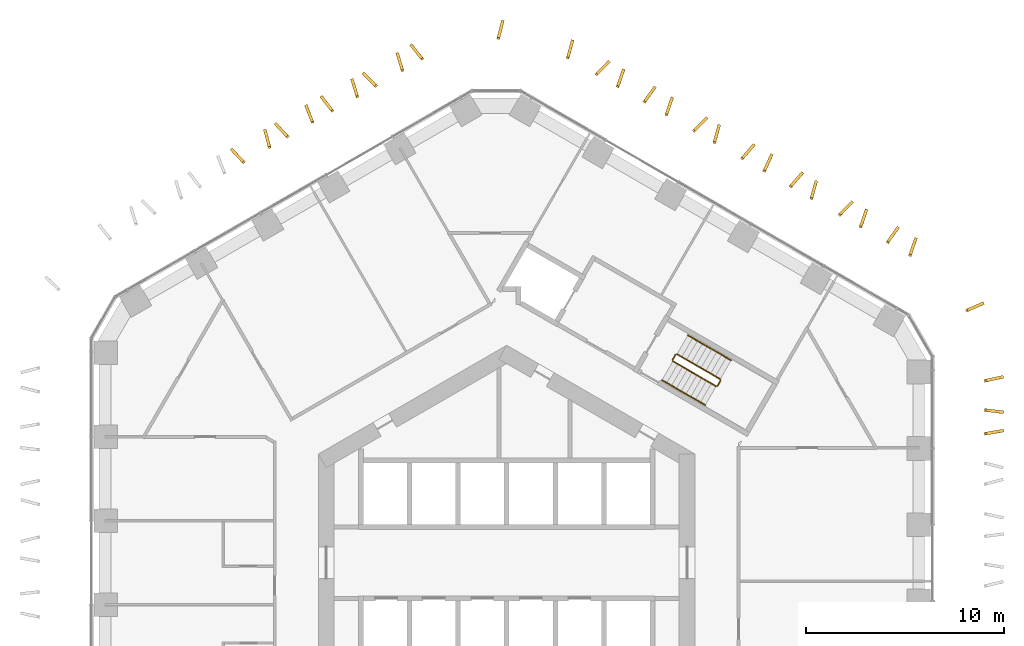
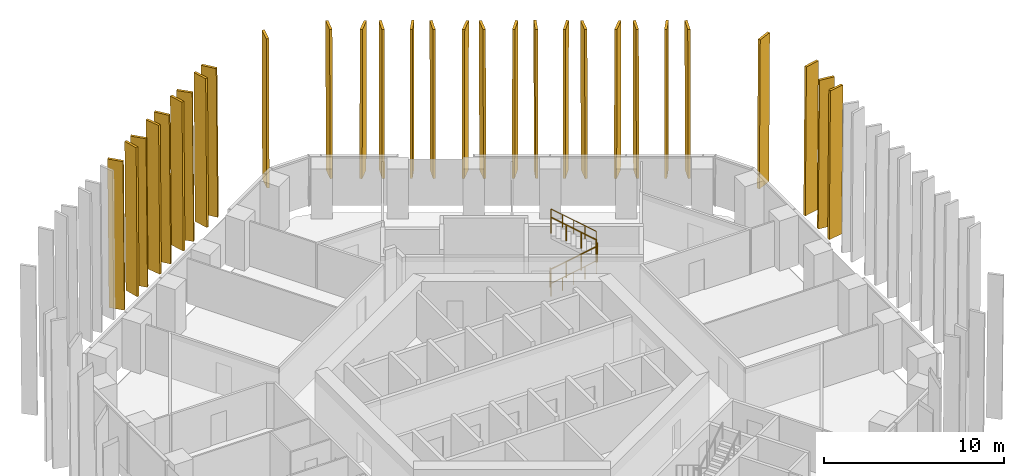
# One storey, part 19 of 19: 29 shading devices, 8 railings.
"""IFC4 building model written with IfcOpenShell, lengths in metres."""

from ifc_helpers import new_model, si_unit, direction, frame, origin, origin_2d, place, context, subcontext, project, spatial, polyline, circle, outline, extrude, material, layer, layer_set, type_object, element, save


model = new_model("IFC4")

# Units and contexts
model_context = context("Model", 3, precision=1e-05, world=origin(), true_north=direction((0.0, 1.0)))
body_context = subcontext(model_context, "Body", "Model", "MODEL_VIEW")
ifc_project = project(units=[si_unit("LENGTHUNIT", "METRE"), si_unit("AREAUNIT", "SQUARE_METRE"), si_unit("VOLUMEUNIT", "CUBIC_METRE"), si_unit("PLANEANGLEUNIT", "RADIAN"), si_unit("MASSUNIT", "GRAM", prefix="KILO")], contexts=[model_context])

# Site, building, storey
site_placement = place(None, origin())
site = spatial("IfcSite", under=ifc_project, at=site_placement, CompositionType="ELEMENT")
building_placement = place(site_placement, origin())
building = spatial("IfcBuilding", under=site, at=building_placement, Name="Ayvan Gate Tower", CompositionType="ELEMENT")
storey_placement = place(building_placement, frame((0.0, 0.0, 56.10009765625)))
storey = spatial("IfcBuildingStorey", under=building, at=storey_placement, Name="L14", CompositionType="ELEMENT", Elevation=56.10009765625)

# Shading devices
ifc_material_1 = material(Name="Bronze anodised aluminium", Category="aluminium")
ifc_layer = layer(ifc_material_1, 0.14990234375)
ifc_layer_set = layer_set([ifc_layer], Name="Bronze anodised aluminium")
shading_device_type = type_object("IfcShadingDeviceType", Name="Bronze fin 900 x 150", PredefinedType="USERDEFINED", material=ifc_layer_set)
shading_device_1_placement = place(storey_placement, frame((-4.17333984375, 25.420654296875, 0.0), z_axis=(0.784507651009, 0.620119118328, 0.000156820053), x_axis=(-0.620119125954, 0.784507660655, 0.0)))
element("IfcShadingDevice", 1, at=shading_device_1_placement, inside=storey, type_object=shading_device_type, Name="Bronze fin FG04.1.1", ObjectType="FIN", PredefinedType="USERDEFINED", context=body_context, shape_type="SweptSolid", body=[
    extrude(outline(polyline([(0.0, 0.0), (0.8999971866563694, 1.3552527156068805e-20), (0.9877609294248118, 10.079834108319309), (0.08776374276844219, 10.079834108319309), (0.0, 0.0)])), origin(), (0.0, 0.0, -1.0), 0.14990234375),
])
shading_device_2_placement = place(storey_placement, frame((-5.171142578125, 24.804443359375, 0.0), z_axis=(0.95752712795, 0.288343154961, 0.00015564904), x_axis=(-0.288343158453, 0.957527139549, 0.0)))
element("IfcShadingDevice", 2, at=shading_device_2_placement, inside=storey, type_object=shading_device_type, Name="Bronze fin FG04.1.2", ObjectType="FIN", PredefinedType="USERDEFINED", context=body_context, shape_type="SweptSolid", body=[
    extrude(outline(polyline([(0.0, 0.0), (0.900043842784266, 0.0), (0.9879709805516541, 10.079834106475175), (0.0879271377673882, 10.079834106475175), (0.0, 0.0)])), origin(), (0.0, 0.0, -1.0), 0.14990234375),
])
shading_device_3_placement = place(storey_placement, frame((-6.5087890625, 24.071044921875, 0.0), z_axis=(0.707174585333, 0.707038955378, 0.000146411497), x_axis=(-0.707038962955, 0.707174592914, -1.4044e-08)))
element("IfcShadingDevice", 3, at=shading_device_3_placement, inside=storey, type_object=shading_device_type, Name="Bronze fin FG04.1.3", ObjectType="FIN", PredefinedType="USERDEFINED", context=body_context, shape_type="SweptSolid", body=[
    extrude(outline(polyline([(0.0, 0.0), (0.8999384036104328, -1.3552527156068805e-20), (0.9878085598087348, 10.079834106285356), (0.08769753926398695, 10.07983408100498), (0.0, 0.0)])), origin(), (0.0, 0.0, -1.0), 0.14990234375),
])
shading_device_4_placement = place(storey_placement, frame((-7.448974609375, 23.490478515625, 0.0), z_axis=(0.956030875361, 0.293265997805, 0.000141023952), x_axis=(-0.293266000721, 0.956030884868, 0.0)))
element("IfcShadingDevice", 4, at=shading_device_4_placement, inside=storey, type_object=shading_device_type, Name="Bronze fin FG04.1.4", ObjectType="FIN", PredefinedType="USERDEFINED", context=body_context, shape_type="SweptSolid", body=[
    extrude(outline(polyline([(0.0, 0.0), (0.8999202600228349, 6.776263578034403e-21), (0.9876924984761604, 10.079834084607638), (0.08777223845332544, 10.079834084607638), (0.0, 0.0)])), origin(), (0.0, 0.0, -1.0), 0.14990234375),
])
shading_device_5_placement = place(storey_placement, frame((-8.70458984375, 22.804443359375, 0.0), z_axis=(0.787676700131, 0.616088784569, 0.000159996988), x_axis=(-0.616088792457, 0.787676710211, 1.3372e-08)))
element("IfcShadingDevice", 5, at=shading_device_5_placement, inside=storey, type_object=shading_device_type, Name="Bronze fin FG04.1.5", ObjectType="FIN", PredefinedType="USERDEFINED", context=body_context, shape_type="SweptSolid", body=[
    extrude(outline(polyline([(0.0, 0.0), (0.8998445159698426, -1.3552527156068805e-20), (0.9878333311159051, 10.079834100182675), (0.08779651126173364, 10.07983412425076), (0.0, 0.0)])), origin(), (0.0, 0.0, -1.0), 0.14990234375),
])
shading_device_6_placement = place(storey_placement, frame((-9.70263671875, 22.202880859375, 0.0), z_axis=(0.929873318067, 0.367879859752, 0.000145383887), x_axis=(-0.367879863638, 0.929873327894, -7.254e-09)))
element("IfcShadingDevice", 6, at=shading_device_6_placement, inside=storey, type_object=shading_device_type, Name="Bronze fin FG04.1.6", ObjectType="FIN", PredefinedType="USERDEFINED", context=body_context, shape_type="SweptSolid", body=[
    extrude(outline(polyline([(0.0, 0.0), (0.9000124177528436, 1.3552527156068805e-20), (0.9877773265767699, 10.07983409806652), (0.0879919286793692, 10.079834085010598), (0.0, 0.0)])), origin(), (0.0, 0.0, -1.0), 0.14990234375),
])
shading_device_7_placement = place(storey_placement, frame((-10.9580078125, 21.503173828125, 0.0), z_axis=(0.729131031446, 0.684374104293, 0.000156062925), x_axis=(-0.684374112627, 0.729131040325, 0.0)))
element("IfcShadingDevice", 7, at=shading_device_7_placement, inside=storey, type_object=shading_device_type, Name="Bronze fin FG04.1.7", ObjectType="FIN", PredefinedType="USERDEFINED", context=body_context, shape_type="SweptSolid", body=[
    extrude(outline(polyline([(0.0, 0.0), (0.9000439752325704, -1.3552527156068805e-20), (0.9879086506899264, 10.07983410712539), (0.08786467545735611, 10.07983410712539), (0.0, 0.0)])), origin(), (0.0, 0.0, -1.0), 0.14990234375),
])
shading_device_8_placement = place(storey_placement, frame((-11.876220703125, 20.92724609375, 0.0), z_axis=(0.965937144761, 0.258776758243, 0.000147528737), x_axis=(-0.258776761059, 0.965937155273, 0.0)))
element("IfcShadingDevice", 8, at=shading_device_8_placement, inside=storey, type_object=shading_device_type, Name="Bronze fin FG04.1.8", ObjectType="FIN", PredefinedType="USERDEFINED", context=body_context, shape_type="SweptSolid", body=[
    extrude(outline(polyline([(0.0, 0.0), (0.9000427831971298, -6.776263578034403e-21), (0.9878926745714226, 10.079834094067428), (0.08784989137429276, 10.079834094067428), (0.0, 0.0)])), origin(), (0.0, 0.0, -1.0), 0.14990234375),
])
shading_device_9_placement = place(storey_placement, frame((-13.17919921875, 20.220703125, 0.0), z_axis=(0.729198714419, 0.684301992977, 0.000131519892), x_axis=(-0.684301998894, 0.729198720727, -1.301e-08)))
element("IfcShadingDevice", 9, at=shading_device_9_placement, inside=storey, type_object=shading_device_type, Name="Bronze fin FG04.1.9", ObjectType="FIN", PredefinedType="USERDEFINED", context=body_context, shape_type="SweptSolid", body=[
    extrude(outline(polyline([(0.0, 0.0), (0.899876904913194, 0.0), (0.9879193202605737, 10.079834084405322), (0.08787534942968092, 10.079834060989052), (0.0, 0.0)])), origin(), (0.0, 0.0, -1.0), 0.14990234375),
])
shading_device_10_placement = place(storey_placement, frame((24.101806640625, 6.427734375, 0.0), z_axis=(0.16791713841, -0.985801100135, 0.0001600021), x_axis=(0.985801112754, 0.16791714056, 0.0)))
element("IfcShadingDevice", 10, at=shading_device_10_placement, inside=storey, type_object=shading_device_type, Name="Bronze fin FG04.9.77", ObjectType="FIN", PredefinedType="USERDEFINED", context=body_context, shape_type="SweptSolid", body=[
    extrude(outline(polyline([(0.0, 0.0), (0.8999858285529956, 0.0), (0.9879311513880245, 10.079834113400267), (0.08794532283502893, 10.079834113400267), (0.0, 0.0)])), origin(), (0.0, 0.0, -1.0), 0.14990234375),
])
shading_device_11_placement = place(storey_placement, frame((24.0830078125, 7.63330078125, 0.0), z_axis=(-0.120161253639, -0.992754375435, 0.000152246879), x_axis=(0.99275438694, -0.120161255031, 0.0)))
element("IfcShadingDevice", 11, at=shading_device_11_placement, inside=storey, type_object=shading_device_type, Name="Bronze fin FG04.9.78", ObjectType="FIN", PredefinedType="USERDEFINED", context=body_context, shape_type="SweptSolid", body=[
    extrude(outline(polyline([(0.0, 0.0), (0.900076292036263, 0.0), (0.9879307932473963, 10.079834101195805), (0.0878545012111333, 10.079834101195805), (0.0, 0.0)])), origin(), (0.0, 0.0, -1.0), 0.14990234375),
])
shading_device_12_placement = place(storey_placement, frame((24.1015625, 9.095458984375, 0.0), z_axis=(0.213353036992, -0.97697515922, 0.000140969583), x_axis=(0.976975168927, 0.213353039115, 2.2762e-08)))
element("IfcShadingDevice", 12, at=shading_device_12_placement, inside=storey, type_object=shading_device_type, Name="Bronze fin FG04.9.79", ObjectType="FIN", PredefinedType="USERDEFINED", context=body_context, shape_type="SweptSolid", body=[
    extrude(outline(polyline([(0.0, 0.0), (0.8999014709693521, 0.0), (0.9878932124900268, 10.079834062044108), (0.08780531033663855, 10.079834103015166), (0.0, 0.0)])), origin(), (0.0, 0.0, -1.0), 0.14990234375),
])
shading_device_13_placement = place(storey_placement, frame((23.19189453125, 12.635986328125, 0.0), z_axis=(0.404174399835, -0.914681930365, 0.000144160214), x_axis=(0.914681939869, 0.404174404035, 0.0)))
element("IfcShadingDevice", 13, at=shading_device_13_placement, inside=storey, type_object=shading_device_type, Name="Bronze fin FG04.10.80", ObjectType="FIN", PredefinedType="USERDEFINED", context=body_context, shape_type="SweptSolid", body=[
    extrude(outline(polyline([(0.0, 0.0), (0.9000310945437551, 6.776263578034403e-21), (0.9879537823724964, 10.0798340891154), (0.08792268782874132, 10.0798340891154), (0.0, 0.0)])), origin(), (0.0, 0.0, -1.0), 0.14990234375),
])
shading_device_14_placement = place(storey_placement, frame((20.396728515625, 15.4375, 0.0), z_axis=(0.945251828339, -0.326341784902, 0.000142995533), x_axis=(0.32634178824, 0.945251838003, -6.33e-09)))
element("IfcShadingDevice", 14, at=shading_device_14_placement, inside=storey, type_object=shading_device_type, Name="Bronze fin FG04.11.81", ObjectType="FIN", PredefinedType="USERDEFINED", context=body_context, shape_type="SweptSolid", body=[
    extrude(outline(polyline([(0.0, 0.0), (0.8998648864393721, 6.776263578034403e-21), (0.9879438413604389, 10.079834093683859), (0.08784818054655426, 10.079834082289473), (0.0, 0.0)])), origin(), (0.0, 0.0, -1.0), 0.14990234375),
])
shading_device_15_placement = place(storey_placement, frame((19.245849609375, 16.083984375, 0.0), z_axis=(0.815635135763, -0.578566592811, 0.000151629944), x_axis=(0.578566599462, 0.81563514514, 0.0)))
element("IfcShadingDevice", 15, at=shading_device_15_placement, inside=storey, type_object=shading_device_type, Name="Bronze fin FG04.11.82", ObjectType="FIN", PredefinedType="USERDEFINED", context=body_context, shape_type="SweptSolid", body=[
    extrude(outline(polyline([(0.0, 0.0), (0.9000726167205502, 0.0), (0.9878882070030846, 10.079834100250961), (0.08781559028253441, 10.079834100250961), (0.0, 0.0)])), origin(), (0.0, 0.0, -1.0), 0.14990234375),
])
shading_device_16_placement = place(storey_placement, frame((17.90625, 16.875244140625, 0.0), z_axis=(0.946102746903, -0.32386659398, 0.00014699147), x_axis=(0.323866597479, 0.946102757124, 0.0)))
element("IfcShadingDevice", 16, at=shading_device_16_placement, inside=storey, type_object=shading_device_type, Name="Bronze fin FG04.11.83", ObjectType="FIN", PredefinedType="USERDEFINED", context=body_context, shape_type="SweptSolid", body=[
    extrude(outline(polyline([(0.0, 0.0), (0.9000740073823146, -6.776263578034403e-21), (0.9880775322879921, 10.07983409326993), (0.08800352490567759, 10.07983409326993), (0.0, 0.0)])), origin(), (0.0, 0.0, -1.0), 0.14990234375),
])
shading_device_17_placement = place(storey_placement, frame((16.809814453125, 17.463623046875, 0.0), z_axis=(0.712309106208, -0.701865884354, 0.000132640227), x_axis=(0.701865890527, 0.712309112475, 1.2815e-08)))
element("IfcShadingDevice", 17, at=shading_device_17_placement, inside=storey, type_object=shading_device_type, Name="Bronze fin FG04.11.84", ObjectType="FIN", PredefinedType="USERDEFINED", context=body_context, shape_type="SweptSolid", body=[
    extrude(outline(polyline([(0.0, 0.0), (0.899963571326261, 1.3552527156068805e-20), (0.9878457747174002, 10.079834060384886), (0.08771084941395967, 10.079834083453694), (0.0, 0.0)])), origin(), (0.0, 0.0, -1.0), 0.14990234375),
])
shading_device_18_placement = place(storey_placement, frame((15.427001953125, 18.305419921875, 0.0), z_axis=(0.963529556783, -0.267601888448, 0.000150014149), x_axis=(0.267601891462, 0.963529567624, -1.9604e-08)))
element("IfcShadingDevice", 18, at=shading_device_18_placement, inside=storey, type_object=shading_device_type, Name="Bronze fin FG04.11.85", ObjectType="FIN", PredefinedType="USERDEFINED", context=body_context, shape_type="SweptSolid", body=[
    extrude(outline(polyline([(0.0, 0.0), (0.9000439675473473, 0.0), (0.9880213064008884, 10.079834117163653), (0.08804267134657386, 10.079834081876099), (0.0, 0.0)])), origin(), (0.0, 0.0, -1.0), 0.14990234375),
])
shading_device_19_placement = place(storey_placement, frame((14.346923828125, 18.8974609375, 0.0), z_axis=(0.755693550157, -0.654925368576, 0.000140875938), x_axis=(0.654925375077, 0.755693557654, -1.4437e-08)))
element("IfcShadingDevice", 19, at=shading_device_19_placement, inside=storey, type_object=shading_device_type, Name="Bronze fin FG04.11.86", ObjectType="FIN", PredefinedType="USERDEFINED", context=body_context, shape_type="SweptSolid", body=[
    extrude(outline(polyline([(0.0, 0.0), (0.900148201278297, 0.0), (0.9880043017403918, 10.07983409866122), (0.08801599435249446, 10.07983407267255), (0.0, 0.0)])), origin(), (0.0, 0.0, -1.0), 0.14990234375),
])
shading_device_20_placement = place(storey_placement, frame((13.0380859375, 19.684326171875, 0.0), z_axis=(0.90854605506, -0.417784689397, 0.000138348265), x_axis=(0.417784693396, 0.908546063755, 0.0)))
element("IfcShadingDevice", 20, at=shading_device_20_placement, inside=storey, type_object=shading_device_type, Name="Bronze fin FG04.11.87", ObjectType="FIN", PredefinedType="USERDEFINED", context=body_context, shape_type="SweptSolid", body=[
    extrude(outline(polyline([(0.0, 0.0), (0.8999290027695448, -6.776263578034403e-21), (0.9876952223783562, 10.079834080840236), (0.08776621960881129, 10.079834080840236), (0.0, 0.0)])), origin(), (0.0, 0.0, -1.0), 0.14990234375),
])
shading_device_21_placement = place(storey_placement, frame((11.90087890625, 20.3095703125, 0.0), z_axis=(0.754941215816, -0.655792450318, 0.000150890712), x_axis=(0.655792457785, 0.754941224409, -1.5449e-08)))
element("IfcShadingDevice", 21, at=shading_device_21_placement, inside=storey, type_object=shading_device_type, Name="Bronze fin FG04.11.88", ObjectType="FIN", PredefinedType="USERDEFINED", context=body_context, shape_type="SweptSolid", body=[
    extrude(outline(polyline([(0.0, 0.0), (0.9000750953258425, -1.3552527156068805e-20), (0.9879293916717197, 10.07983411438662), (0.08801440192639111, 10.07983408657815), (0.0, 0.0)])), origin(), (0.0, 0.0, -1.0), 0.14990234375),
])
shading_device_22_placement = place(storey_placement, frame((10.533935546875, 21.130615234375, 0.0), z_axis=(0.963644092898, -0.267189143281, 0.000154708457), x_axis=(0.267189146479, 0.963644104431, -5.607e-09)))
element("IfcShadingDevice", 22, at=shading_device_22_placement, inside=storey, type_object=shading_device_type, Name="Bronze fin FG04.11.89", ObjectType="FIN", PredefinedType="USERDEFINED", context=body_context, shape_type="SweptSolid", body=[
    extrude(outline(polyline([(0.0, 0.0), (0.8999133711472783, -6.776263578034403e-21), (0.9878915411001492, 10.079834110543196), (0.08774290527893773, 10.079834100449977), (0.0, 0.0)])), origin(), (0.0, 0.0, -1.0), 0.14990234375),
])
shading_device_23_placement = place(storey_placement, frame((9.47021484375, 21.701171875, 0.0), z_axis=(0.712646093422, -0.701523714347, 0.000154078966), x_axis=(0.701523722674, 0.712646101881, 0.0)))
element("IfcShadingDevice", 23, at=shading_device_23_placement, inside=storey, type_object=shading_device_type, Name="Bronze fin FG04.11.90", ObjectType="FIN", PredefinedType="USERDEFINED", context=body_context, shape_type="SweptSolid", body=[
    extrude(outline(polyline([(0.0, 0.0), (0.8999662247254143, 0.0), (0.9878516045628143, 10.079834104024284), (0.08788537983740005, 10.079834104024284), (0.0, 0.0)])), origin(), (0.0, 0.0, -1.0), 0.14990234375),
])
shading_device_24_placement = place(storey_placement, frame((8.109375, 22.531494140625, 0.0), z_axis=(0.946005362535, -0.324150941428, 0.00014568998), x_axis=(0.324150944867, 0.946005372576, 6.404e-09)))
element("IfcShadingDevice", 24, at=shading_device_24_placement, inside=storey, type_object=shading_device_type, Name="Bronze fin FG04.11.91", ObjectType="FIN", PredefinedType="USERDEFINED", context=body_context, shape_type="SweptSolid", body=[
    extrude(outline(polyline([(0.0, 0.0), (0.9001531051415115, 0.0), (0.9879252869566455, 10.07983408502316), (0.08800314015804794, 10.079834096551355), (0.0, 0.0)])), origin(), (0.0, 0.0, -1.0), 0.14990234375),
])
shading_device_25_placement = place(storey_placement, frame((6.98095703125, 23.1650390625, 0.0), z_axis=(0.814914029899, -0.579581832517, 0.00015260976), x_axis=(0.579581839268, 0.814914039387, -1.6867e-08)))
element("IfcShadingDevice", 25, at=shading_device_25_placement, inside=storey, type_object=shading_device_type, Name="Bronze fin FG04.11.92", ObjectType="FIN", PredefinedType="USERDEFINED", context=body_context, shape_type="SweptSolid", body=[
    extrude(outline(polyline([(0.0, 0.0), (0.9000410558680485, -1.3552527156068805e-20), (0.9878545047633688, 10.079834118415649), (0.0879549483677978, 10.07983408805577), (0.0, 0.0)])), origin(), (0.0, 0.0, -1.0), 0.14990234375),
])
shading_device_26_placement = place(storey_placement, frame((5.6533203125, 23.949462890625, 0.0), z_axis=(0.944663148846, -0.328041940433, 0.000143283343), x_axis=(0.328041943803, 0.944663158542, -1.8355e-08)))
element("IfcShadingDevice", 26, at=shading_device_26_placement, inside=storey, type_object=shading_device_type, Name="Bronze fin FG04.11.93", ObjectType="FIN", PredefinedType="USERDEFINED", context=body_context, shape_type="SweptSolid", body=[
    extrude(outline(polyline([(0.0, 0.0), (0.9001934895513458, -6.776263578034403e-21), (0.9880388850878276, 10.079834105980224), (0.08792548390166807, 10.079834072936164), (0.0, 0.0)])), origin(), (0.0, 0.0, -1.0), 0.14990234375),
])
shading_device_27_placement = place(storey_placement, frame((4.544189453125, 24.54541015625, 0.0), z_axis=(0.713184135583, -0.7009767236, 0.000147389232), x_axis=(0.700976731214, 0.713184143329, 0.0)))
element("IfcShadingDevice", 27, at=shading_device_27_placement, inside=storey, type_object=shading_device_type, Name="Bronze fin FG04.11.94", ObjectType="FIN", PredefinedType="USERDEFINED", context=body_context, shape_type="SweptSolid", body=[
    extrude(outline(polyline([(0.0, 0.0), (0.899971920476087, 0.0), (0.9878584660693611, 10.079834093860072), (0.08788654559327416, 10.079834093860072), (0.0, 0.0)])), origin(), (0.0, 0.0, -1.0), 0.14990234375),
])
shading_device_28_placement = place(storey_placement, frame((3.14013671875, 25.3994140625, 0.0), z_axis=(0.963793312607, -0.266650387361, 0.000146606357), x_axis=(0.266650390226, 0.963793322965, 0.0)))
element("IfcShadingDevice", 28, at=shading_device_28_placement, inside=storey, type_object=shading_device_type, Name="Bronze fin FG04.11.95", ObjectType="FIN", PredefinedType="USERDEFINED", context=body_context, shape_type="SweptSolid", body=[
    extrude(outline(polyline([(0.0, 0.0), (0.9000183130096557, 0.0), (0.9877621146483838, 10.079834092700075), (0.08774380163872808, 10.079834092700075), (0.0, 0.0)])), origin(), (0.0, 0.0, -1.0), 0.14990234375),
])
shading_device_29_placement = place(storey_placement, frame((-0.36083984375, 26.38232421875, 0.0), z_axis=(0.969436375139, -0.245342809545, 0.000142695822), x_axis=(0.245342812045, 0.969436385008, -1.8761e-08)))
element("IfcShadingDevice", 29, at=shading_device_29_placement, inside=storey, type_object=shading_device_type, Name="Bronze fin FG04.12.96", ObjectType="FIN", PredefinedType="USERDEFINED", context=body_context, shape_type="SweptSolid", body=[
    extrude(outline(polyline([(0.0, 0.0), (0.9000978722949677, 6.776263578034403e-21), (0.9878469130088965, 10.079834105531065), (0.08780893886140075, 10.079834071759112), (0.0, 0.0)])), origin(), (0.0, 0.0, -1.0), 0.14990234375),
])

# Railings
ifc_material_2 = material(Name="Stainless steel balustrade", Category="steel")
railing_type_1 = type_object("IfcRailingType", Name="RL-GUARD-1100", PredefinedType="GUARDRAIL", material=ifc_material_2)
railing_1_placement = place(storey_placement, frame((8.381103515625, 10.16650390625, 0.169921875)))
element("IfcRailing", 30, at=railing_1_placement, inside=storey, type_object=railing_type_1, Name="L14 STS1 stair guard 1", PredefinedType="GUARDRAIL", context=body_context, shape_type="SweptSolid", body=[
    extrude(circle(Radius=0.02392578125, at=origin_2d()), frame((0.0, 0.0, 1.076171875), z_axis=(0.740261155115, -0.427395438142, 0.518986090067), x_axis=(0.500004791531, 0.866022637375, 0.0)), (0.0, 0.0, 1.0), 2.947998046875),
    extrude(circle(Radius=0.02099609375, at=origin_2d()), origin(), (0.0, 0.0, 1.0), 1.052001953125),
    extrude(circle(Radius=0.02099609375, at=origin_2d()), frame((0.7275390625, -0.419921875, 0.510009765625)), (0.0, 0.0, 1.0), 1.052001953125),
    extrude(circle(Radius=0.02099609375, at=origin_2d()), frame((1.454833984375, -0.840087890625, 1.02001953125)), (0.0, 0.0, 1.0), 1.052001953125),
    extrude(circle(Radius=0.02099609375, at=origin_2d()), frame((2.182373046875, -1.260009765625, 1.530029296875)), (0.0, 0.0, 1.0), 1.052001953125),
])
railing_2_placement = place(storey_placement, frame((10.6318359375, 8.9248046875, 1.699951171875)))
element("IfcRailing", 31, at=railing_2_placement, inside=storey, type_object=railing_type_1, Name="L14 STS1 stair guard 2", PredefinedType="GUARDRAIL", context=body_context, shape_type="SweptSolid", body=[
    extrude(circle(Radius=0.02392578125, at=origin_2d()), frame((0.0, 0.0, 1.076171875), z_axis=(0.499949632511, 0.866054481515, 0.0), x_axis=(-0.866054481515, 0.499949632511, 0.0)), (0.0, 0.0, 1.0), 0.31005859375),
    extrude(circle(Radius=0.02099609375, at=origin_2d()), origin(), (0.0, 0.0, 1.0), 1.052001953125),
    extrude(circle(Radius=0.02099609375, at=origin_2d()), frame((0.155029296875, 0.2685546875, 0.0)), (0.0, 0.0, 1.0), 1.052001953125),
])
railing_3_placement = place(storey_placement, frame((10.7685546875, 9.261474609375, 1.869873046875)))
element("IfcRailing", 32, at=railing_3_placement, inside=storey, type_object=railing_type_1, Name="L14 STS1 stair guard 3", PredefinedType="GUARDRAIL", context=body_context, shape_type="SweptSolid", body=[
    extrude(circle(Radius=0.02392578125, at=origin_2d()), frame((0.0, 0.0, 1.076171875), z_axis=(-0.740261155115, 0.427395438142, 0.518986090067), x_axis=(-0.500004791531, -0.866022637375, 0.0)), (0.0, 0.0, 1.0), 2.947998046875),
    extrude(circle(Radius=0.02099609375, at=origin_2d()), origin(), (0.0, 0.0, 1.0), 1.052001953125),
    extrude(circle(Radius=0.02099609375, at=origin_2d()), frame((-0.7275390625, 0.419921875, 0.510009765625)), (0.0, 0.0, 1.0), 1.052001953125),
    extrude(circle(Radius=0.02099609375, at=origin_2d()), frame((-1.454833984375, 0.840087890625, 1.02001953125)), (0.0, 0.0, 1.0), 1.052001953125),
    extrude(circle(Radius=0.02099609375, at=origin_2d()), frame((-2.182373046875, 1.260009765625, 1.530029296875)), (0.0, 0.0, 1.0), 1.052001953125),
])
railing_4_placement = place(storey_placement, frame((8.36279296875, 10.23486328125, 0.0)))
element("IfcRailing", 33, at=railing_4_placement, inside=storey, type_object=railing_type_1, Name="L14 STS1 stair guard 4", PredefinedType="GUARDRAIL", context=body_context, shape_type="SweptSolid", body=[
    extrude(circle(Radius=0.02392578125, at=origin_2d()), frame((0.0, 0.0, 1.076171875), z_axis=(0.500290723946, 0.86585748916, 0.0), x_axis=(-0.86585748916, 0.500290723946, 0.0)), (0.0, 0.0, 1.0), 0.309814453125),
    extrude(circle(Radius=0.02099609375, at=origin_2d()), origin(), (0.0, 0.0, 1.0), 1.052001953125),
    extrude(circle(Radius=0.02099609375, at=origin_2d()), frame((0.155029296875, 0.268310546875, 0.0)), (0.0, 0.0, 1.0), 1.052001953125),
])
railing_type_2 = type_object("IfcRailingType", Name="RL-HANDRAIL-900", PredefinedType="HANDRAIL", material=ifc_material_2)
railing_5_placement = place(storey_placement, frame((7.8310546875, 9.2138671875, 0.169921875)))
element("IfcRailing", 34, at=railing_5_placement, inside=storey, type_object=railing_type_2, Name="L14 STS1 stair handrail 1", PredefinedType="HANDRAIL", context=body_context, shape_type="SweptSolid", body=[
    extrude(circle(Radius=0.02392578125, at=origin_2d()), frame((0.0, 0.0, 0.8759765625), z_axis=(0.740356597536, -0.427319915356, 0.518912129772), x_axis=(0.499890179513, 0.866088799389, 0.0)), (0.0, 0.0, 1.0), 1.47412109375),
    extrude(circle(Radius=0.02099609375, at=origin_2d()), origin(), (0.0, 0.0, 1.0), 0.851806640625),
    extrude(circle(Radius=0.02099609375, at=origin_2d()), frame((0.545654296875, -0.31494140625, 0.38232421875)), (0.0, 0.0, 1.0), 0.851806640625),
    extrude(circle(Radius=0.02099609375, at=origin_2d()), frame((1.09130859375, -0.6298828125, 0.764892578125)), (0.0, 0.0, 1.0), 0.851806640625),
])
railing_6_placement = place(storey_placement, frame((8.92236328125, 8.583984375, 0.934814453125)))
element("IfcRailing", 35, at=railing_6_placement, inside=storey, type_object=railing_type_2, Name="L14 STS1 stair handrail 2", PredefinedType="HANDRAIL", context=body_context, shape_type="SweptSolid", body=[
    extrude(circle(Radius=0.02392578125, at=origin_2d()), frame((0.0, 0.0, 0.8759765625), z_axis=(0.740165700939, -0.427470949681, 0.519060037311), x_axis=(0.50011940292, 0.865956455501, 0.0)), (0.0, 0.0, 1.0), 1.47412109375),
    extrude(circle(Radius=0.02099609375, at=origin_2d()), origin(), (0.0, 0.0, 1.0), 0.851806640625),
    extrude(circle(Radius=0.02099609375, at=origin_2d()), frame((0.54541015625, -0.31494140625, 0.382568359375)), (0.0, 0.0, 1.0), 0.851806640625),
    extrude(circle(Radius=0.02099609375, at=origin_2d()), frame((1.091064453125, -0.630126953125, 0.76513671875)), (0.0, 0.0, 1.0), 0.851806640625),
])
railing_7_placement = place(storey_placement, frame((11.318603515625, 10.214111328125, 1.869873046875)))
element("IfcRailing", 36, at=railing_7_placement, inside=storey, type_object=railing_type_2, Name="L14 STS1 stair handrail 3", PredefinedType="HANDRAIL", context=body_context, shape_type="SweptSolid", body=[
    extrude(circle(Radius=0.02392578125, at=origin_2d()), frame((0.0, 0.0, 0.8759765625), z_axis=(-0.740240574041, 0.427418550694, 0.518996411419), x_axis=(-0.500035496587, -0.86600490885, 0.0)), (0.0, 0.0, 1.0), 1.474365234375),
    extrude(circle(Radius=0.02099609375, at=origin_2d()), origin(), (0.0, 0.0, 1.0), 0.851806640625),
    extrude(circle(Radius=0.02099609375, at=origin_2d()), frame((-0.545654296875, 0.31494140625, 0.382568359375)), (0.0, 0.0, 1.0), 0.851806640625),
    extrude(circle(Radius=0.02099609375, at=origin_2d()), frame((-1.09130859375, 0.630126953125, 0.76513671875)), (0.0, 0.0, 1.0), 0.851806640625),
])
railing_8_placement = place(storey_placement, frame((10.227294921875, 10.84423828125, 2.635009765625)))
element("IfcRailing", 37, at=railing_8_placement, inside=storey, type_object=railing_type_2, Name="L14 STS1 stair handrail 4", PredefinedType="HANDRAIL", context=body_context, shape_type="SweptSolid", body=[
    extrude(circle(Radius=0.02392578125, at=origin_2d()), frame((0.0, 0.0, 0.8759765625), z_axis=(-0.740356597536, 0.427319915356, 0.518912129772), x_axis=(-0.499890179513, -0.866088799389, 0.0)), (0.0, 0.0, 1.0), 1.47412109375),
    extrude(circle(Radius=0.02099609375, at=origin_2d()), origin(), (0.0, 0.0, 1.0), 0.851806640625),
    extrude(circle(Radius=0.02099609375, at=origin_2d()), frame((-0.545654296875, 0.31494140625, 0.38232421875)), (0.0, 0.0, 1.0), 0.851806640625),
    extrude(circle(Radius=0.02099609375, at=origin_2d()), frame((-1.09130859375, 0.6298828125, 0.764892578125)), (0.0, 0.0, 1.0), 0.851806640625),
])

save(model, "model.ifc")
